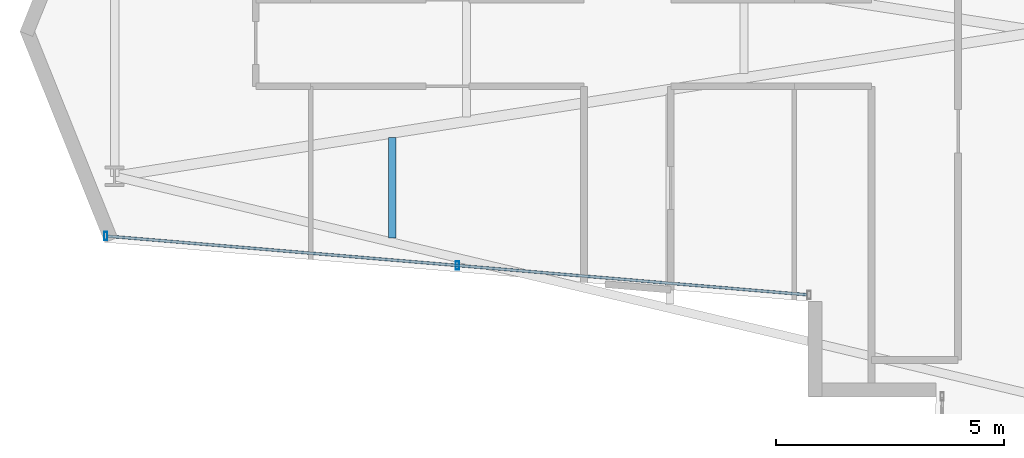
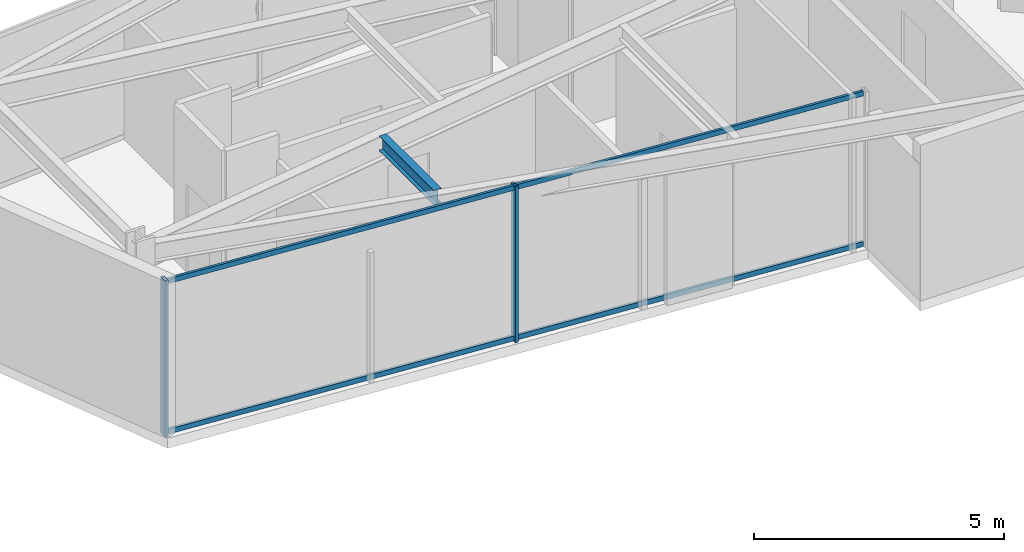
# One storey, part 2 of 26: 4 members, 1 beam, 1 element without a shape of its own.
"""IFC4 building model written with IfcOpenShell, lengths in metres."""

from ifc_helpers import new_model, si_unit, direction, frame, origin, origin_2d, place, context, subcontext, project, spatial, hollow_rectangle, i_section, extrude, material, layer, layer_set, material_profile, profile_set, type_object, element, aggregate, save


model = new_model("IFC4")

# Units and contexts
model_context = context("Model", 3, precision=1e-05, world=origin(), true_north=direction((0.0, 1.0)))
body_context = subcontext(model_context, "Body", "Model", "MODEL_VIEW")
ifc_project = project(units=[si_unit("LENGTHUNIT", "METRE"), si_unit("AREAUNIT", "SQUARE_METRE"), si_unit("VOLUMEUNIT", "CUBIC_METRE"), si_unit("PLANEANGLEUNIT", "RADIAN"), si_unit("MASSUNIT", "GRAM", prefix="KILO")], contexts=[model_context])

# Site, building, storey
site_placement = place(None, origin())
site = spatial("IfcSite", under=ifc_project, at=site_placement, CompositionType="ELEMENT")
building_placement = place(site_placement, origin())
building = spatial("IfcBuilding", under=site, at=building_placement, Name="Veymaron Broadcast Tower", CompositionType="ELEMENT")
storey_placement = place(building_placement, frame((0.0, 0.0, 133.050048828125)))
storey = spatial("IfcBuildingStorey", under=building, at=storey_placement, Name="L30", CompositionType="ELEMENT", Elevation=133.050048828125)

# Beam
ifc_material_1 = material(Name="Structural steel ASTM A992 Gr 50", Category="steel")
ifc_material_profile_1 = material_profile(ifc_material_1, i_section(OverallWidth=0.1708984375, OverallDepth=0.35498046875, WebThickness=0.007080078125, FlangeThickness=0.01171875, at=origin_2d()), Name="W360X51")
ifc_profile_set_1 = profile_set([ifc_material_profile_1], Name="Structural steel ASTM A992 Gr 50")
beam_type = type_object("IfcBeamType", Name="BM-JS2", PredefinedType="JOIST", material=ifc_profile_set_1)
beam_placement = place(storey_placement, frame((16.993408203125, 19.4775390625, 3.632568359375), z_axis=(0.0, 1.0, 0.0), x_axis=(-1.0, 0.0, 0.0)))
element("IfcBeam", 1, at=beam_placement, inside=storey, type_object=beam_type, Name="L30 Arm-A secondary joist 1S", PredefinedType="JOIST", context=body_context, shape_type="SweptSolid", body=[
    extrude(i_section(OverallWidth=0.1708984375, OverallDepth=0.35498046875, WebThickness=0.007080078125, FlangeThickness=0.01171875, at=origin_2d()), origin(), (0.0, 0.0, 1.0), 2.199951171875),
])

# Curtain wall, members
ifc_material_2 = material(Name="Anodised aluminium AA 6063-T6 and laminated low-E dark glass", Category="aluminium")
ifc_layer = layer(ifc_material_2, 0.179931640625)
ifc_layer_set = layer_set([ifc_layer], Name="Anodised aluminium AA 6063-T6 and laminated low-E dark glass")
curtain_wall_type = type_object("IfcCurtainWallType", Name="CW-SYS-03", PredefinedType="NOTDEFINED", material=ifc_layer_set)
curtain_wall_placement = place(storey_placement, origin())
curtain_wall = element("IfcCurtainWall", 2, at=curtain_wall_placement, inside=storey, type_object=curtain_wall_type, Name="L30 dark-glass curtain wall CW-L30-E14-1", PredefinedType="NOTDEFINED")
ifc_material_3 = material(Name="Anodised aluminium AA 6063-T6", Category="aluminium")
ifc_material_profile_2 = material_profile(ifc_material_3, hollow_rectangle(XDim=0.074951171875, YDim=0.179931640625, WallThickness=0.0048828125, at=origin_2d()), Name="AL180X75X5")
ifc_profile_set_2 = profile_set([ifc_material_profile_2], Name="Anodised aluminium AA 6063-T6")
member_type_1 = type_object("IfcMemberType", Name="CW-MUL-02", PredefinedType="MULLION", material=ifc_profile_set_2)
member_1_placement = place(storey_placement, frame((10.711669921875, 19.517333984375, 0.0), z_axis=(0.0, 0.0, 1.0), x_axis=(1.0, 0.0, 0.0)))
member_1 = element("IfcMember", 3, at=member_1_placement, type_object=member_type_1, Name="CW-L30-E14-1 mullion 0", PredefinedType="MULLION", context=body_context, shape_type="SweptSolid", body=[
    extrude(hollow_rectangle(XDim=0.074951171875, YDim=0.179931640625, WallThickness=0.0048828125, at=origin_2d()), origin(), (0.0, 0.0, 1.0), 3.81005859375),
])
member_2_placement = place(storey_placement, frame((18.421630859375, 18.871337890625, 0.0), z_axis=(0.0, 0.0, 1.0), x_axis=(1.0, 0.0, 0.0)))
member_2 = element("IfcMember", 4, at=member_2_placement, type_object=member_type_1, Name="CW-L30-E14-1 mullion 1", PredefinedType="MULLION", context=body_context, shape_type="SweptSolid", body=[
    extrude(hollow_rectangle(XDim=0.074951171875, YDim=0.179931640625, WallThickness=0.0048828125, at=origin_2d()), origin(), (0.0, 0.0, 1.0), 3.81005859375),
])
ifc_material_profile_3 = material_profile(ifc_material_3, hollow_rectangle(XDim=0.06005859375, YDim=0.1201171875, WallThickness=0.00390625, at=origin_2d()), Name="AL120X60X4")
ifc_profile_set_3 = profile_set([ifc_material_profile_3], Name="Anodised aluminium AA 6063-T6")
member_type_2 = type_object("IfcMemberType", Name="CW-TRN-02", PredefinedType="USERDEFINED", material=ifc_profile_set_3)
member_3_placement = place(storey_placement, frame((10.761474609375, 19.51318359375, 0.070068359375), z_axis=(0.996507981532, -0.083497561303, 0.0), x_axis=(0.083497561303, 0.996507981532, 0.0)))
member_3 = element("IfcMember", 5, at=member_3_placement, type_object=member_type_2, Name="CW-L30-E14-1 transom B", ObjectType="TRANSOM", PredefinedType="USERDEFINED", context=body_context, shape_type="SweptSolid", body=[
    extrude(hollow_rectangle(XDim=0.06005859375, YDim=0.1201171875, WallThickness=0.00390625, at=origin_2d()), origin(), (0.0, 0.0, 1.0), 15.3740234375),
])
member_4_placement = place(storey_placement, frame((10.761474609375, 19.51318359375, 3.739990234375), z_axis=(0.996507981532, -0.083497561303, 0.0), x_axis=(0.083497561303, 0.996507981532, 0.0)))
member_4 = element("IfcMember", 6, at=member_4_placement, type_object=member_type_2, Name="CW-L30-E14-1 transom T", ObjectType="TRANSOM", PredefinedType="USERDEFINED", context=body_context, shape_type="SweptSolid", body=[
    extrude(hollow_rectangle(XDim=0.06005859375, YDim=0.1201171875, WallThickness=0.00390625, at=origin_2d()), origin(), (0.0, 0.0, 1.0), 15.3740234375),
])
aggregate(curtain_wall, [member_1, member_2, member_3, member_4])

save(model, "model.ifc")
